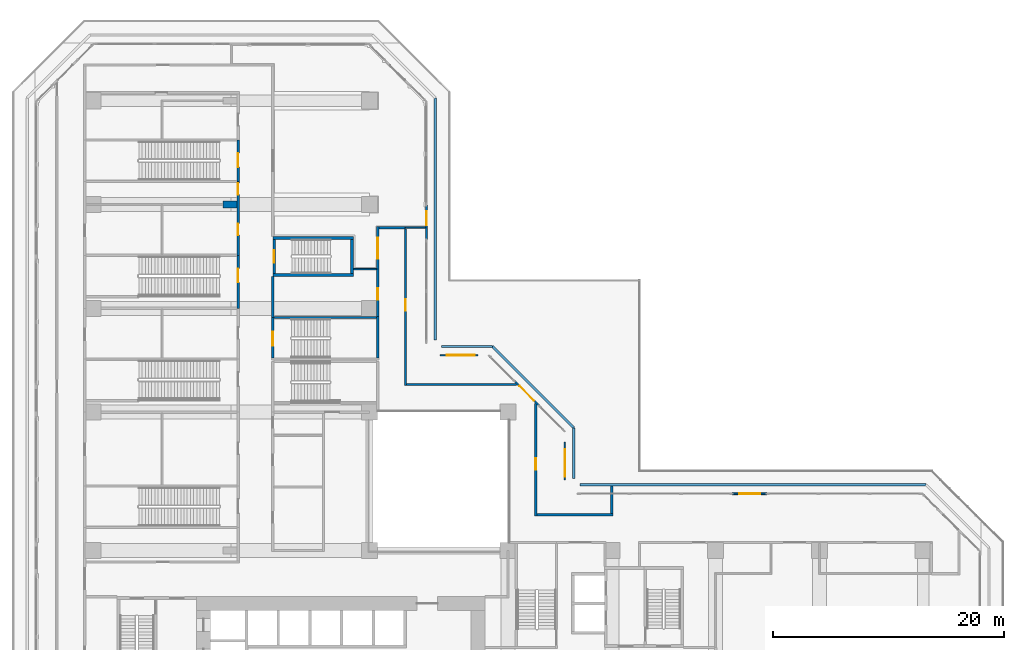
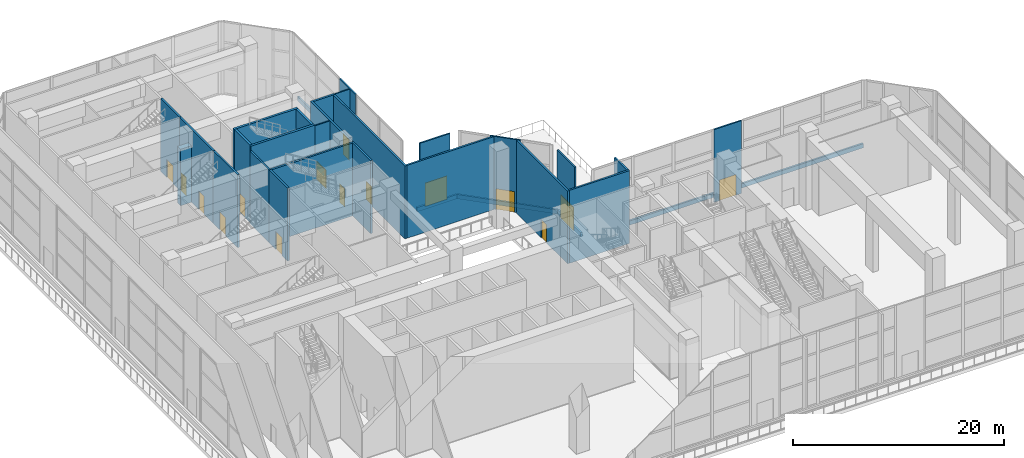
# One storey, part 16 of 28: 31 walls, 13 doors, 2 windows, 15 openings.
"""IFC4 building model written with IfcOpenShell, lengths in metres."""

from ifc_helpers import new_model, si_unit, direction, frame, frame_2d, origin, place, context, subcontext, project, spatial, rectangle, extrude, material, layer, layer_set, type_object, element, fill, save


model = new_model("IFC4")

# Units and contexts
model_context = context("Model", 3, precision=1e-05, world=origin(), true_north=direction((0.0, 1.0)))
body_context = subcontext(model_context, "Body", "Model", "MODEL_VIEW")
ifc_project = project(units=[si_unit("LENGTHUNIT", "METRE"), si_unit("AREAUNIT", "SQUARE_METRE"), si_unit("VOLUMEUNIT", "CUBIC_METRE"), si_unit("PLANEANGLEUNIT", "RADIAN"), si_unit("MASSUNIT", "GRAM", prefix="KILO")], contexts=[model_context])

# Site, building, storey
site_placement = place(None, origin())
site = spatial("IfcSite", under=ifc_project, at=site_placement, CompositionType="ELEMENT")
building_placement = place(site_placement, origin())
building = spatial("IfcBuilding", under=site, at=building_placement, Name="Chenar Terraces", CompositionType="ELEMENT")
storey_placement = place(building_placement, frame((0.0, 0.0, 26.39990234375)))
storey = spatial("IfcBuildingStorey", under=building, at=storey_placement, Name="L05", CompositionType="ELEMENT", Elevation=26.39990234375)

# Walls
ifc_material_1 = material(Name="Gypsum board on steel studs with mineral wool", Category="steel")
ifc_layer_1 = layer(ifc_material_1, 0.125)
ifc_layer_set_1 = layer_set([ifc_layer_1], Name="Gypsum board on steel studs with mineral wool")
wall_type_1 = type_object("IfcWallType", Name="Acoustic partition 125", PredefinedType="PARTITIONING", material=ifc_layer_set_1)
wall_1_placement = place(storey_placement, frame((22.60009765625, 48.39990234375, 0.0), z_axis=(0.0, 0.0, 1.0), x_axis=(1.0, 0.0, 0.0)))
element("IfcWall", 1, at=wall_1_placement, inside=storey, type_object=wall_type_1, Name="Partition L05-057", PredefinedType="PARTITIONING", context=body_context, shape_type="SweptSolid", body=[
    extrude(rectangle(XDim=2.0, YDim=0.125, at=frame_2d((1.0, 0.0))), origin(), (0.0, 0.0, 1.0), 8.4501953125),
])
wall_2_placement = place(storey_placement, frame((27.10009765625, 52.0, 0.0), z_axis=(0.0, 0.0, 1.0), x_axis=(1.0, 0.0, 0.0)))
element("IfcWall", 2, at=wall_2_placement, inside=storey, type_object=wall_type_1, Name="Partition L05-063", PredefinedType="PARTITIONING", context=body_context, shape_type="SweptSolid", body=[
    extrude(rectangle(XDim=1.7509765625, YDim=0.125, at=frame_2d((0.87548828125, 0.0))), origin(), (0.0, 0.0, 1.0), 8.4501953125),
])
ifc_material_2 = material(Name="Concrete C70/85", Category="concrete")
ifc_layer_2 = layer(ifc_material_2, 0.25)
ifc_layer_set_2 = layer_set([ifc_layer_2], Name="Concrete C70/85")
wall_type_2 = type_object("IfcWallType", Name="Core wall 250 Concrete C70/85", PredefinedType="SHEAR", material=ifc_layer_set_2)
for number, where, z_axis, x_axis, name in (
    (3, (15.60009765625, 47.89990234375, 0.0), (0.0, 0.0, 1.0), (1.0, 0.0, 0.0), "Core wall ST4_S L05"),
    (4, (15.60009765625, 51.10009765625, 0.0), (0.0, 0.0, 1.0), (1.0, 0.0, 0.0), "Core wall ST4_N L05"),
):
    element("IfcWall", number, at=place(storey_placement, frame(where, z_axis=z_axis, x_axis=x_axis)), inside=storey, type_object=wall_type_2, Name=name, PredefinedType="SHEAR", context=body_context, shape_type="SweptSolid", body=[
        extrude(rectangle(XDim=7.0, YDim=0.25, at=frame_2d((3.5, 0.0))), origin(), (0.0, 0.0, 1.0), 9.0),
    ])

# Wall, opening, door
wall_3_placement = place(storey_placement, frame((15.72509765625, 48.02490234375, 0.0), z_axis=(0.0, 0.0, 1.0), x_axis=(0.0, 1.0, 0.0)))
wall_3 = element("IfcWall", 5, at=wall_3_placement, inside=storey, type_object=wall_type_2, Name="Core wall ST4_W L05", PredefinedType="SHEAR", context=body_context, shape_type="SweptSolid", body=[
    extrude(rectangle(XDim=2.9501953125, YDim=0.25, at=frame_2d((1.47509765625, 0.0))), origin(), (0.0, 0.0, 1.0), 9.0),
])
opening_1_placement = place(wall_3_placement, frame((0.925048828125, 0.0, 0.0)))
opening_1 = element("IfcOpeningElement", 6, at=opening_1_placement, cuts=wall_3, Name="Opening DL05-C9", PredefinedType="OPENING", context=body_context, shape_type="SweptSolid", body=[
    extrude(rectangle(XDim=1.10009765625, YDim=2.199951171875, at=frame_2d((0.550048828125, 1.10009765625))), frame((0.0, 0.135009765625, 0.0), z_axis=(0.0, -1.0, 0.0), x_axis=(1.0, 0.0, 0.0)), (0.0, 0.0, 1.0), 0.27001953125),
])
ifc_material_3 = material(Name="Steel-framed fire-resisting door leaf", Category="steel")
door_type_1 = type_object("IfcDoorType", Name="Stair fire door FD60 1100 x 2200", OperationType="SINGLE_SWING_LEFT", PredefinedType="DOOR", material=ifc_material_3)
door_1_placement = place(opening_1_placement, frame((1.10009765625, 0.0, 0.0), z_axis=(0.0, 0.0, 1.0), x_axis=(-1.0, 0.0, 0.0)))
door_1 = element("IfcDoor", 7, at=door_1_placement, inside=storey, type_object=door_type_1, Name="Stair door DL05-C9", OperationType="SINGLE_SWING_RIGHT", OverallHeight=2.199951171875, OverallWidth=1.10009765625, PredefinedType="DOOR", context=body_context, shape_type="SweptSolid", body=[
    extrude(rectangle(XDim=1.10009765625, YDim=2.199951171875, at=frame_2d((0.550048828125, 1.10009765625))), frame((0.0, 0.02490234375, 0.0), z_axis=(0.0, -1.0, 0.0), x_axis=(1.0, 0.0, 0.0)), (0.0, 0.0, 1.0), 0.050048828125),
])
fill(opening_1, door_1)

# Wall
wall_4_placement = place(storey_placement, frame((22.47509765625, 48.02490234375, 0.0), z_axis=(0.0, 0.0, 1.0), x_axis=(0.0, 1.0, 0.0)))
element("IfcWall", 8, at=wall_4_placement, inside=storey, type_object=wall_type_2, Name="Core wall ST4_E L05", PredefinedType="SHEAR", context=body_context, shape_type="SweptSolid", body=[
    extrude(rectangle(XDim=2.9501953125, YDim=0.25, at=frame_2d((1.47509765625, 0.0))), origin(), (0.0, 0.0, 1.0), 9.0),
])

# Wall, openings, doors
ifc_material_4 = material(Name="Gypsum board on steel studs with fire boards", Category="steel")
ifc_layer_3 = layer(ifc_material_4, 0.199951171875)
ifc_layer_set_3 = layer_set([ifc_layer_3], Name="Gypsum board on steel studs with fire boards")
wall_type_3 = type_object("IfcWallType", Name="Corridor wall 200", PredefinedType="PARTITIONING", material=ifc_layer_set_3)
wall_5_placement = place(storey_placement, frame((12.60009765625, 49.60009765625, 0.0), z_axis=(0.0, 0.0, 1.0), x_axis=(0.0, 1.0, 0.0)))
wall_5 = element("IfcWall", 9, at=wall_5_placement, inside=storey, type_object=wall_type_3, Name="Partition L05-042", PredefinedType="PARTITIONING", context=body_context, shape_type="SweptSolid", body=[
    extrude(rectangle(XDim=6.39990234375, YDim=0.199951171875, at=frame_2d((3.199951171875, 0.0))), origin(), (0.0, 0.0, 1.0), 8.4501953125),
])
opening_2_placement = place(wall_5_placement, frame((1.75, 0.0, 0.0)))
opening_2 = element("IfcOpeningElement", 10, at=opening_2_placement, cuts=wall_5, Name="Opening DL05-7", PredefinedType="OPENING", context=body_context, shape_type="SweptSolid", body=[
    extrude(rectangle(XDim=1.0, YDim=2.10009765625, at=frame_2d((0.5, 1.050048828125))), frame((0.0, 0.10986328125, 0.0), z_axis=(0.0, -1.0, 0.0), x_axis=(1.0, 0.0, 0.0)), (0.0, 0.0, 1.0), 0.219970703125),
])
opening_3_placement = place(wall_5_placement, frame((5.25, 0.0, 0.0)))
opening_3 = element("IfcOpeningElement", 11, at=opening_3_placement, cuts=wall_5, Name="Opening DL05-28", PredefinedType="OPENING", context=body_context, shape_type="SweptSolid", body=[
    extrude(rectangle(XDim=1.0, YDim=2.10009765625, at=frame_2d((0.5, 1.050048828125))), frame((0.0, 0.10986328125, 0.0), z_axis=(0.0, -1.0, 0.0), x_axis=(1.0, 0.0, 0.0)), (0.0, 0.0, 1.0), 0.219970703125),
])
ifc_material_5 = material(Name="Steel-framed fire-resisting door leaf", Category="steel")
door_type_2 = type_object("IfcDoorType", Name="Fire door FD60 1000 x 2100", OperationType="SINGLE_SWING_LEFT", PredefinedType="DOOR", material=ifc_material_5)
door_2_placement = place(opening_2_placement, origin())
door_2 = element("IfcDoor", 12, at=door_2_placement, inside=storey, type_object=door_type_2, Name="Door DL05-7", OperationType="SINGLE_SWING_RIGHT", OverallHeight=2.10009765625, OverallWidth=1.0, PredefinedType="DOOR", context=body_context, shape_type="SweptSolid", body=[
    extrude(rectangle(XDim=1.0, YDim=2.10009765625, at=frame_2d((0.5, 1.050048828125))), frame((0.0, 0.02490234375, 0.0), z_axis=(0.0, -1.0, 0.0), x_axis=(1.0, 0.0, 0.0)), (0.0, 0.0, 1.0), 0.050048828125),
])
fill(opening_2, door_2)
door_3_placement = place(opening_3_placement, origin())
door_3 = element("IfcDoor", 13, at=door_3_placement, inside=storey, type_object=door_type_2, Name="Door DL05-28", OperationType="SINGLE_SWING_RIGHT", OverallHeight=2.10009765625, OverallWidth=1.0, PredefinedType="DOOR", context=body_context, shape_type="SweptSolid", body=[
    extrude(rectangle(XDim=1.0, YDim=2.10009765625, at=frame_2d((0.5, 1.050048828125))), frame((0.0, 0.02490234375, 0.0), z_axis=(0.0, -1.0, 0.0), x_axis=(1.0, 0.0, 0.0)), (0.0, 0.0, 1.0), 0.050048828125),
])
fill(opening_3, door_3)

# Wall
wall_6_placement = place(storey_placement, frame((15.60009765625, 44.199951171875, 0.0), z_axis=(0.0, 0.0, 1.0), x_axis=(0.0, 1.0, 0.0)))
element("IfcWall", 14, at=wall_6_placement, inside=storey, type_object=wall_type_3, Name="Partition L05-049", PredefinedType="PARTITIONING", context=body_context, shape_type="SweptSolid", body=[
    extrude(rectangle(XDim=3.574951171875, YDim=0.199951171875, at=frame_2d((1.78759765625, 0.0))), origin(), (0.0, 0.0, 1.0), 8.4501953125),
])

# Wall, openings, doors
wall_7_placement = place(storey_placement, frame((24.699951171875, 44.300048828125, 0.0), z_axis=(0.0, 0.0, 1.0), x_axis=(0.0, 1.0, 0.0)))
wall_7 = element("IfcWall", 15, at=wall_7_placement, inside=storey, type_object=wall_type_3, Name="Partition L05-060", PredefinedType="PARTITIONING", context=body_context, shape_type="SweptSolid", body=[
    extrude(rectangle(XDim=7.800048828125, YDim=0.199951171875, at=frame_2d((3.89990234375, 0.0))), origin(), (0.0, 0.0, 1.0), 8.4501953125),
])
opening_4_placement = place(wall_7_placement, frame((1.449951171875, 0.0, 0.0)))
opening_4 = element("IfcOpeningElement", 16, at=opening_4_placement, cuts=wall_7, Name="Opening DL05-9", PredefinedType="OPENING", context=body_context, shape_type="SweptSolid", body=[
    extrude(rectangle(XDim=1.0, YDim=2.10009765625, at=frame_2d((0.5, 1.050048828125))), frame((0.0, 0.10986328125, 0.0), z_axis=(0.0, -1.0, 0.0), x_axis=(1.0, 0.0, 0.0)), (0.0, 0.0, 1.0), 0.219970703125),
])
opening_5_placement = place(wall_7_placement, frame((5.0, 0.0, 0.0)))
opening_5 = element("IfcOpeningElement", 17, at=opening_5_placement, cuts=wall_7, Name="Opening DL05-21", PredefinedType="OPENING", context=body_context, shape_type="SweptSolid", body=[
    extrude(rectangle(XDim=1.800048828125, YDim=2.10009765625, at=frame_2d((0.89990234375, 1.050048828125))), frame((0.0, 0.10986328125, 0.0), z_axis=(0.0, -1.0, 0.0), x_axis=(1.0, 0.0, 0.0)), (0.0, 0.0, 1.0), 0.219970703125),
])
door_4_placement = place(opening_4_placement, origin())
door_4 = element("IfcDoor", 18, at=door_4_placement, inside=storey, type_object=door_type_2, Name="Door DL05-9", OperationType="SINGLE_SWING_LEFT", OverallHeight=2.10009765625, OverallWidth=1.0, PredefinedType="DOOR", context=body_context, shape_type="SweptSolid", body=[
    extrude(rectangle(XDim=1.0, YDim=2.10009765625, at=frame_2d((0.5, 1.050048828125))), frame((0.0, 0.02490234375, 0.0), z_axis=(0.0, -1.0, 0.0), x_axis=(1.0, 0.0, 0.0)), (0.0, 0.0, 1.0), 0.050048828125),
])
fill(opening_4, door_4)
ifc_material_6 = material(Name="Steel-framed fire-resisting door leaf", Category="steel")
door_type_3 = type_object("IfcDoorType", Name="Fire double door FD60 1800 x 2100", OperationType="DOUBLE_DOOR_SINGLE_SWING", PredefinedType="DOOR", material=ifc_material_6)
door_5_placement = place(opening_5_placement, origin())
door_5 = element("IfcDoor", 19, at=door_5_placement, inside=storey, type_object=door_type_3, Name="Door DL05-21", OperationType="DOUBLE_DOOR_SINGLE_SWING", OverallHeight=2.10009765625, OverallWidth=1.800048828125, PredefinedType="DOOR", context=body_context, shape_type="SweptSolid", body=[
    extrude(rectangle(XDim=1.800048828125, YDim=2.10009765625, at=frame_2d((0.89990234375, 1.050048828125))), frame((0.0, 0.02490234375, 0.0), z_axis=(0.0, -1.0, 0.0), x_axis=(1.0, 0.0, 0.0)), (0.0, 0.0, 1.0), 0.050048828125),
])
fill(opening_5, door_5)

# Wall
wall_8_placement = place(storey_placement, frame((24.800048828125, 52.0, 0.0), z_axis=(0.0, 0.0, 1.0), x_axis=(1.0, 0.0, 0.0)))
element("IfcWall", 20, at=wall_8_placement, inside=storey, type_object=wall_type_3, Name="Partition L05-061", PredefinedType="PARTITIONING", context=body_context, shape_type="SweptSolid", body=[
    extrude(rectangle(XDim=2.300048828125, YDim=0.199951171875, at=frame_2d((1.14990234375, 0.0))), origin(), (0.0, 0.0, 1.0), 8.4501953125),
])

# Wall, opening, door
wall_9_placement = place(storey_placement, frame((27.10009765625, 38.300048828125, 0.0), z_axis=(0.0, 0.0, 1.0), x_axis=(0.0, 1.0, 0.0)))
wall_9 = element("IfcWall", 21, at=wall_9_placement, inside=storey, type_object=wall_type_3, Name="Partition L05-062", PredefinedType="PARTITIONING", context=body_context, shape_type="SweptSolid", body=[
    extrude(rectangle(XDim=13.599853515625, YDim=0.199951171875, at=frame_2d((6.7998046875, 0.0))), origin(), (0.0, 0.0, 1.0), 8.4501953125),
])
opening_6_placement = place(wall_9_placement, frame((6.5, 0.0, 0.0)))
opening_6 = element("IfcOpeningElement", 22, at=opening_6_placement, cuts=wall_9, Name="Opening DL05-23", PredefinedType="OPENING", context=body_context, shape_type="SweptSolid", body=[
    extrude(rectangle(XDim=1.0, YDim=2.10009765625, at=frame_2d((0.5, 1.050048828125))), frame((0.0, 0.10986328125, 0.0), z_axis=(0.0, -1.0, 0.0), x_axis=(1.0, 0.0, 0.0)), (0.0, 0.0, 1.0), 0.219970703125),
])
door_6_placement = place(opening_6_placement, frame((1.0, 0.0, 0.0), z_axis=(0.0, 0.0, 1.0), x_axis=(-1.0, 0.0, 0.0)))
door_6 = element("IfcDoor", 23, at=door_6_placement, inside=storey, type_object=door_type_2, Name="Door DL05-23", OperationType="SINGLE_SWING_RIGHT", OverallHeight=2.10009765625, OverallWidth=1.0, PredefinedType="DOOR", context=body_context, shape_type="SweptSolid", body=[
    extrude(rectangle(XDim=1.0, YDim=2.10009765625, at=frame_2d((0.5, 1.050048828125))), frame((0.0, 0.02490234375, 0.0), z_axis=(0.0, -1.0, 0.0), x_axis=(1.0, 0.0, 0.0)), (0.0, 0.0, 1.0), 0.050048828125),
])
fill(opening_6, door_6)

# Wall
wall_10_placement = place(storey_placement, frame((27.199951171875, 38.39990234375, 0.0), z_axis=(0.0, 0.0, 1.0), x_axis=(1.0, 0.0, 0.0)))
element("IfcWall", 24, at=wall_10_placement, inside=storey, type_object=wall_type_3, Name="Partition L05-064", PredefinedType="PARTITIONING", context=body_context, shape_type="SweptSolid", body=[
    extrude(rectangle(XDim=9.5390625, YDim=0.199951171875, at=frame_2d((4.76953125, 0.0))), origin(), (0.0, 0.0, 1.0), 8.4501953125),
])

# Wall, opening, door
wall_11_placement = place(storey_placement, frame((38.39990234375, 27.0, 0.0), z_axis=(0.0, 0.0, 1.0), x_axis=(0.0, 1.0, 0.0)))
wall_11 = element("IfcWall", 25, at=wall_11_placement, inside=storey, type_object=wall_type_3, Name="Partition L05-070", PredefinedType="PARTITIONING", context=body_context, shape_type="SweptSolid", body=[
    extrude(rectangle(XDim=9.739013671875, YDim=0.199951171875, at=frame_2d((4.86962890625, 0.0))), origin(), (0.0, 0.0, 1.0), 8.4501953125),
])
opening_7_placement = place(wall_11_placement, frame((4.0, 0.0, 0.0)))
opening_7 = element("IfcOpeningElement", 26, at=opening_7_placement, cuts=wall_11, Name="Opening DL05-24", PredefinedType="OPENING", context=body_context, shape_type="SweptSolid", body=[
    extrude(rectangle(XDim=1.0, YDim=2.10009765625, at=frame_2d((0.5, 1.050048828125))), frame((0.0, 0.10986328125, 0.0), z_axis=(0.0, -1.0, 0.0), x_axis=(1.0, 0.0, 0.0)), (0.0, 0.0, 1.0), 0.219970703125),
])
door_7_placement = place(opening_7_placement, frame((1.0, 0.0, 0.0), z_axis=(0.0, 0.0, 1.0), x_axis=(-1.0, 0.0, 0.0)))
door_7 = element("IfcDoor", 27, at=door_7_placement, inside=storey, type_object=door_type_2, Name="Door DL05-24", OperationType="SINGLE_SWING_LEFT", OverallHeight=2.10009765625, OverallWidth=1.0, PredefinedType="DOOR", context=body_context, shape_type="SweptSolid", body=[
    extrude(rectangle(XDim=1.0, YDim=2.10009765625, at=frame_2d((0.5, 1.050048828125))), frame((0.0, 0.02490234375, 0.0), z_axis=(0.0, -1.0, 0.0), x_axis=(1.0, 0.0, 0.0)), (0.0, 0.0, 1.0), 0.050048828125),
])
fill(opening_7, door_7)

# Walls
wall_12_placement = place(storey_placement, frame((38.5, 27.10009765625, 0.0), z_axis=(0.0, 0.0, 1.0), x_axis=(1.0, 0.0, 0.0)))
element("IfcWall", 28, at=wall_12_placement, inside=storey, type_object=wall_type_3, Name="Partition L05-071", PredefinedType="PARTITIONING", context=body_context, shape_type="SweptSolid", body=[
    extrude(rectangle(XDim=6.60009765625, YDim=0.199951171875, at=frame_2d((3.300048828125, 0.0))), origin(), (0.0, 0.0, 1.0), 8.4501953125),
])
wall_13_placement = place(storey_placement, frame((45.0, 27.199951171875, 0.0), z_axis=(0.0, 0.0, 1.0), x_axis=(0.0, 1.0, 0.0)))
element("IfcWall", 29, at=wall_13_placement, inside=storey, type_object=wall_type_3, Name="Partition L05-080", PredefinedType="PARTITIONING", context=body_context, shape_type="SweptSolid", body=[
    extrude(rectangle(XDim=2.400146484375, YDim=0.199951171875, at=frame_2d((1.2001953125, 0.0))), origin(), (0.0, 0.0, 1.0), 8.4501953125),
])

# Wall, opening, door
ifc_material_7 = material(Name="Aluminium framed glazing", Category="aluminium")
ifc_layer_4 = layer(ifc_material_7, 0.14990234375)
ifc_layer_set_4 = layer_set([ifc_layer_4], Name="Aluminium framed glazing")
wall_type_4 = type_object("IfcWallType", Name="Podium glazed wall 150", PredefinedType="SOLIDWALL", material=ifc_layer_set_4)
wall_14_placement = place(storey_placement, frame((58.44970703125, 28.925048828125, 0.0), z_axis=(0.0, 0.0, 1.0), x_axis=(-1.0, 0.0, 0.0)))
wall_14 = element("IfcWall", 30, at=wall_14_placement, inside=storey, type_object=wall_type_4, Name="Podium glazed wall", PredefinedType="SOLIDWALL", context=body_context, shape_type="SweptSolid", body=[
    extrude(rectangle(XDim=3.0, YDim=0.14990234375, at=frame_2d((1.5, 0.0))), origin(), (0.0, 0.0, 1.0), 8.4501953125),
])
opening_8_placement = place(wall_14_placement, frame((0.60009765625, 0.0, 0.0)))
opening_8 = element("IfcOpeningElement", 31, at=opening_8_placement, cuts=wall_14, Name="Opening DL05-T1", PredefinedType="OPENING", context=body_context, shape_type="SweptSolid", body=[
    extrude(rectangle(XDim=1.800048828125, YDim=2.39990234375, at=frame_2d((0.89990234375, 1.199951171875))), frame((0.0, 0.0849609375, 0.0), z_axis=(0.0, -1.0, 0.0), x_axis=(1.0, 0.0, 0.0)), (0.0, 0.0, 1.0), 0.169921875),
])
ifc_material_8 = material(Name="Low emissivity double glazing, aluminium frame", Category="aluminium")
door_type_4 = type_object("IfcDoorType", Name="Terrace glazed double door 1800 x 2400", OperationType="DOUBLE_DOOR_SINGLE_SWING", PredefinedType="DOOR", material=ifc_material_8)
door_8_placement = place(opening_8_placement, frame((1.800048828125, 0.0, 0.0), z_axis=(0.0, 0.0, 1.0), x_axis=(-1.0, 0.0, 0.0)))
door_8 = element("IfcDoor", 32, at=door_8_placement, inside=storey, type_object=door_type_4, Name="Terrace glazed door", OperationType="DOUBLE_DOOR_SINGLE_SWING", OverallHeight=2.39990234375, OverallWidth=1.800048828125, PredefinedType="DOOR", context=body_context, shape_type="SweptSolid", body=[
    extrude(rectangle(XDim=1.800048828125, YDim=2.39990234375, at=frame_2d((0.89990234375, 1.199951171875))), frame((0.0, 0.02490234375, 0.0), z_axis=(0.0, -1.0, 0.0), x_axis=(1.0, 0.0, 0.0)), (0.0, 0.0, 1.0), 0.050048828125),
])
fill(opening_8, door_8)

# Wall, opening, window
wall_15_placement = place(storey_placement, frame((40.925048828125, 30.099609375, 0.0), z_axis=(0.0, 0.0, 1.0), x_axis=(0.0, 1.0, 0.0)))
wall_15 = element("IfcWall", 33, at=wall_15_placement, inside=storey, type_object=wall_type_4, Name="Podium glazed wall", PredefinedType="SOLIDWALL", context=body_context, shape_type="SweptSolid", body=[
    extrude(rectangle(XDim=3.300048828125, YDim=0.14990234375, at=frame_2d((1.64990234375, 0.0))), origin(), (0.0, 0.0, 1.0), 8.4501953125),
])
opening_9_placement = place(wall_15_placement, frame((0.300048828125, 0.0, 0.89990234375)))
opening_9 = element("IfcOpeningElement", 34, at=opening_9_placement, cuts=wall_15, Name="Opening W240x270", PredefinedType="OPENING", context=body_context, shape_type="SweptSolid", body=[
    extrude(rectangle(XDim=2.39990234375, YDim=2.699951171875, at=frame_2d((1.199951171875, 1.35009765625))), frame((0.0, 0.0849609375, 0.0), z_axis=(0.0, -1.0, 0.0), x_axis=(1.0, 0.0, 0.0)), (0.0, 0.0, 1.0), 0.169921875),
])
ifc_material_9 = material(Name="Low emissivity double glazing, aluminium frame", Category="aluminium")
window_type = type_object("IfcWindowType", Name="Fixed light 2400 x 2700", PartitioningType="SINGLE_PANEL", PredefinedType="WINDOW", material=ifc_material_9)
window_1_placement = place(opening_9_placement, origin())
window_1 = element("IfcWindow", 35, at=window_1_placement, inside=storey, type_object=window_type, Name="Window", OverallHeight=2.699951171875, OverallWidth=2.39990234375, PartitioningType="SINGLE_PANEL", PredefinedType="WINDOW", context=body_context, shape_type="SweptSolid", body=[
    extrude(rectangle(XDim=2.39990234375, YDim=2.699951171875, at=frame_2d((1.199951171875, 1.35009765625))), frame((0.0, 0.030029296875, 0.0), z_axis=(0.0, -1.0, 0.0), x_axis=(1.0, 0.0, 0.0)), (0.0, 0.0, 1.0), 0.06005859375),
])
fill(opening_9, window_1)

# Wall, opening, door
wall_16_placement = place(storey_placement, frame((38.682373046875, 36.56103515625, 0.0), z_axis=(0.0, 0.0, 1.0), x_axis=(-0.707106781187, 0.707106781187, 0.0)))
wall_16 = element("IfcWall", 36, at=wall_16_placement, inside=storey, type_object=wall_type_4, Name="Podium glazed wall", PredefinedType="SOLIDWALL", context=body_context, shape_type="SweptSolid", body=[
    extrude(rectangle(XDim=3.0, YDim=0.14990234375, at=frame_2d((1.5, 0.0))), origin(), (0.0, 0.0, 1.0), 8.4501953125),
])
opening_10_placement = place(wall_16_placement, frame((0.60009765625, 0.0, 0.0)))
opening_10 = element("IfcOpeningElement", 37, at=opening_10_placement, cuts=wall_16, Name="Opening DL05-T1", PredefinedType="OPENING", context=body_context, shape_type="SweptSolid", body=[
    extrude(rectangle(XDim=1.800048828125, YDim=2.39990234375, at=frame_2d((0.89990234375, 1.199951171875))), frame((0.0, 0.0849609375, 0.0), z_axis=(0.0, -1.0, 0.0), x_axis=(1.0, 0.0, 0.0)), (0.0, 0.0, 1.0), 0.169921875),
])
door_9_placement = place(opening_10_placement, frame((1.800048828125, 0.0, 0.0), z_axis=(0.0, 0.0, 1.0), x_axis=(-1.0, 0.0, 0.0)))
door_9 = element("IfcDoor", 38, at=door_9_placement, inside=storey, type_object=door_type_4, Name="Terrace glazed door", OperationType="DOUBLE_DOOR_SINGLE_SWING", OverallHeight=2.39990234375, OverallWidth=1.800048828125, PredefinedType="DOOR", context=body_context, shape_type="SweptSolid", body=[
    extrude(rectangle(XDim=1.800048828125, YDim=2.39990234375, at=frame_2d((0.89990234375, 1.199951171875))), frame((0.0, 0.02490234375, 0.0), z_axis=(0.0, -1.0, 0.0), x_axis=(1.0, 0.0, 0.0)), (0.0, 0.0, 1.0), 0.050048828125),
])
fill(opening_10, door_9)

# Wall, opening, window
wall_17_placement = place(storey_placement, frame((33.399658203125, 40.925048828125, 0.0), z_axis=(0.0, 0.0, 1.0), x_axis=(-1.0, 0.0, 0.0)))
wall_17 = element("IfcWall", 39, at=wall_17_placement, inside=storey, type_object=wall_type_4, Name="Podium glazed wall", PredefinedType="SOLIDWALL", context=body_context, shape_type="SweptSolid", body=[
    extrude(rectangle(XDim=3.300048828125, YDim=0.14990234375, at=frame_2d((1.64990234375, 0.0))), origin(), (0.0, 0.0, 1.0), 8.4501953125),
])
opening_11_placement = place(wall_17_placement, frame((0.300048828125, 0.0, 0.89990234375)))
opening_11 = element("IfcOpeningElement", 40, at=opening_11_placement, cuts=wall_17, Name="Opening W240x270", PredefinedType="OPENING", context=body_context, shape_type="SweptSolid", body=[
    extrude(rectangle(XDim=2.39990234375, YDim=2.699951171875, at=frame_2d((1.199951171875, 1.35009765625))), frame((0.0, 0.0849609375, 0.0), z_axis=(0.0, -1.0, 0.0), x_axis=(1.0, 0.0, 0.0)), (0.0, 0.0, 1.0), 0.169921875),
])
window_2_placement = place(opening_11_placement, origin())
window_2 = element("IfcWindow", 41, at=window_2_placement, inside=storey, type_object=window_type, Name="Window", OverallHeight=2.699951171875, OverallWidth=2.39990234375, PartitioningType="SINGLE_PANEL", PredefinedType="WINDOW", context=body_context, shape_type="SweptSolid", body=[
    extrude(rectangle(XDim=2.39990234375, YDim=2.699951171875, at=frame_2d((1.199951171875, 1.35009765625))), frame((0.0, 0.030029296875, 0.0), z_axis=(0.0, -1.0, 0.0), x_axis=(1.0, 0.0, 0.0)), (0.0, 0.0, 1.0), 0.06005859375),
])
fill(opening_11, window_2)

# Wall, opening, door
wall_18_placement = place(storey_placement, frame((28.925048828125, 50.94970703125, 0.0), z_axis=(0.0, 0.0, 1.0), x_axis=(0.0, 1.0, 0.0)))
wall_18 = element("IfcWall", 42, at=wall_18_placement, inside=storey, type_object=wall_type_4, Name="Podium glazed wall", PredefinedType="SOLIDWALL", context=body_context, shape_type="SweptSolid", body=[
    extrude(rectangle(XDim=3.0, YDim=0.14990234375, at=frame_2d((1.5, 0.0))), origin(), (0.0, 0.0, 1.0), 8.4501953125),
])
opening_12_placement = place(wall_18_placement, frame((1.25, 0.0, 0.0)))
opening_12 = element("IfcOpeningElement", 43, at=opening_12_placement, cuts=wall_18, Name="Opening DL05-T1N", PredefinedType="OPENING", context=body_context, shape_type="SweptSolid", body=[
    extrude(rectangle(XDim=1.199951171875, YDim=2.39990234375, at=frame_2d((0.60009765625, 1.199951171875))), frame((0.0, 0.0849609375, 0.0), z_axis=(0.0, -1.0, 0.0), x_axis=(1.0, 0.0, 0.0)), (0.0, 0.0, 1.0), 0.169921875),
])
ifc_material_10 = material(Name="Low emissivity double glazing, aluminium frame", Category="aluminium")
door_type_5 = type_object("IfcDoorType", Name="Terrace glazed door 1200 x 2400", OperationType="SINGLE_SWING_LEFT", PredefinedType="DOOR", material=ifc_material_10)
door_10_placement = place(opening_12_placement, frame((1.199951171875, 0.0, 0.0), z_axis=(0.0, 0.0, 1.0), x_axis=(-1.0, 0.0, 0.0)))
door_10 = element("IfcDoor", 44, at=door_10_placement, inside=storey, type_object=door_type_5, Name="Terrace glazed door", OperationType="DOUBLE_DOOR_SINGLE_SWING", OverallHeight=2.39990234375, OverallWidth=1.199951171875, PredefinedType="DOOR", context=body_context, shape_type="SweptSolid", body=[
    extrude(rectangle(XDim=1.199951171875, YDim=2.39990234375, at=frame_2d((0.60009765625, 1.199951171875))), frame((0.0, 0.02490234375, 0.0), z_axis=(0.0, -1.0, 0.0), x_axis=(1.0, 0.0, 0.0)), (0.0, 0.0, 1.0), 0.050048828125),
])
fill(opening_12, door_10)

ifc_material_11 = material(Name="Reinforced concrete C40/50", Category="concrete")
ifc_layer_5 = layer(ifc_material_11, 0.199951171875)
ifc_layer_set_5 = layer_set([ifc_layer_5], Name="Reinforced concrete C40/50")
wall_type_5 = type_object("IfcWallType", Name="Stair enclosure wall 200 concrete", PredefinedType="SOLIDWALL", material=ifc_layer_set_5)
wall_19_placement = place(storey_placement, frame((12.60009765625, 45.0, 0.0), z_axis=(0.0, 0.0, 1.0), x_axis=(0.0, 1.0, 0.0)))
wall_19 = element("IfcWall", 45, at=wall_19_placement, inside=storey, type_object=wall_type_5, Name="Stair enclosure wall L05-041", PredefinedType="SOLIDWALL", context=body_context, shape_type="SweptSolid", body=[
    extrude(rectangle(XDim=4.60009765625, YDim=0.199951171875, at=frame_2d((2.300048828125, 0.0))), origin(), (0.0, 0.0, 1.0), 8.4501953125),
])
opening_13_placement = place(wall_19_placement, frame((2.25, 0.0, 0.0)))
opening_13 = element("IfcOpeningElement", 46, at=opening_13_placement, cuts=wall_19, Name="Opening DL05-33", PredefinedType="OPENING", context=body_context, shape_type="SweptSolid", body=[
    extrude(rectangle(XDim=1.199951171875, YDim=2.10009765625, at=frame_2d((0.60009765625, 1.050048828125))), frame((0.0, 0.10986328125, 0.0), z_axis=(0.0, -1.0, 0.0), x_axis=(1.0, 0.0, 0.0)), (0.0, 0.0, 1.0), 0.219970703125),
])
ifc_material_12 = material(Name="Steel-framed fire-resisting door leaf", Category="steel")
door_type_6 = type_object("IfcDoorType", Name="Fire door FD120 1200 x 2100", OperationType="SINGLE_SWING_LEFT", PredefinedType="DOOR", material=ifc_material_12)
door_11_placement = place(opening_13_placement, origin())
door_11 = element("IfcDoor", 47, at=door_11_placement, inside=storey, type_object=door_type_6, Name="Door DL05-33", OperationType="SINGLE_SWING_RIGHT", OverallHeight=2.10009765625, OverallWidth=1.199951171875, PredefinedType="DOOR", context=body_context, shape_type="SweptSolid", body=[
    extrude(rectangle(XDim=1.199951171875, YDim=2.10009765625, at=frame_2d((0.60009765625, 1.050048828125))), frame((0.0, 0.02490234375, 0.0), z_axis=(0.0, -1.0, 0.0), x_axis=(1.0, 0.0, 0.0)), (0.0, 0.0, 1.0), 0.050048828125),
])
fill(opening_13, door_11)

wall_20_placement = place(storey_placement, frame((12.60009765625, 56.0, 0.0), z_axis=(0.0, 0.0, 1.0), x_axis=(0.0, 1.0, 0.0)))
wall_20 = element("IfcWall", 48, at=wall_20_placement, inside=storey, type_object=wall_type_5, Name="Stair enclosure wall L05-043", PredefinedType="SOLIDWALL", context=body_context, shape_type="SweptSolid", body=[
    extrude(rectangle(XDim=3.60009765625, YDim=0.199951171875, at=frame_2d((1.800048828125, 0.0))), origin(), (0.0, 0.0, 1.0), 8.4501953125),
])
opening_14_placement = place(wall_20_placement, frame((1.25, 0.0, 0.0)))
opening_14 = element("IfcOpeningElement", 49, at=opening_14_placement, cuts=wall_20, Name="Opening DL05-32", PredefinedType="OPENING", context=body_context, shape_type="SweptSolid", body=[
    extrude(rectangle(XDim=1.199951171875, YDim=2.10009765625, at=frame_2d((0.60009765625, 1.050048828125))), frame((0.0, 0.10986328125, 0.0), z_axis=(0.0, -1.0, 0.0), x_axis=(1.0, 0.0, 0.0)), (0.0, 0.0, 1.0), 0.219970703125),
])
door_12_placement = place(opening_14_placement, origin())
door_12 = element("IfcDoor", 50, at=door_12_placement, inside=storey, type_object=door_type_6, Name="Door DL05-32", OperationType="SINGLE_SWING_RIGHT", OverallHeight=2.10009765625, OverallWidth=1.199951171875, PredefinedType="DOOR", context=body_context, shape_type="SweptSolid", body=[
    extrude(rectangle(XDim=1.199951171875, YDim=2.10009765625, at=frame_2d((0.60009765625, 1.050048828125))), frame((0.0, 0.02490234375, 0.0), z_axis=(0.0, -1.0, 0.0), x_axis=(1.0, 0.0, 0.0)), (0.0, 0.0, 1.0), 0.050048828125),
])
fill(opening_14, door_12)

wall_21_placement = place(storey_placement, frame((15.60009765625, 40.699951171875, 0.0), z_axis=(0.0, 0.0, 1.0), x_axis=(0.0, 1.0, 0.0)))
wall_21 = element("IfcWall", 51, at=wall_21_placement, inside=storey, type_object=wall_type_5, Name="Stair enclosure wall L05-048", PredefinedType="SOLIDWALL", context=body_context, shape_type="SweptSolid", body=[
    extrude(rectangle(XDim=3.5, YDim=0.199951171875, at=frame_2d((1.75, 0.0))), origin(), (0.0, 0.0, 1.0), 8.4501953125),
])
opening_15_placement = place(wall_21_placement, frame((1.050048828125, 0.0, 0.0)))
opening_15 = element("IfcOpeningElement", 52, at=opening_15_placement, cuts=wall_21, Name="Opening DL05-37", PredefinedType="OPENING", context=body_context, shape_type="SweptSolid", body=[
    extrude(rectangle(XDim=1.199951171875, YDim=2.10009765625, at=frame_2d((0.60009765625, 1.050048828125))), frame((0.0, 0.10986328125, 0.0), z_axis=(0.0, -1.0, 0.0), x_axis=(1.0, 0.0, 0.0)), (0.0, 0.0, 1.0), 0.219970703125),
])
door_13_placement = place(opening_15_placement, frame((1.199951171875, 0.0, 0.0), z_axis=(0.0, 0.0, 1.0), x_axis=(-1.0, 0.0, 0.0)))
door_13 = element("IfcDoor", 53, at=door_13_placement, inside=storey, type_object=door_type_6, Name="Door DL05-37", OperationType="SINGLE_SWING_RIGHT", OverallHeight=2.10009765625, OverallWidth=1.199951171875, PredefinedType="DOOR", context=body_context, shape_type="SweptSolid", body=[
    extrude(rectangle(XDim=1.199951171875, YDim=2.10009765625, at=frame_2d((0.60009765625, 1.050048828125))), frame((0.0, 0.02490234375, 0.0), z_axis=(0.0, -1.0, 0.0), x_axis=(1.0, 0.0, 0.0)), (0.0, 0.0, 1.0), 0.050048828125),
])
fill(opening_15, door_13)

# Walls
wall_22_placement = place(storey_placement, frame((15.699951171875, 44.199951171875, 0.0), z_axis=(0.0, 0.0, 1.0), x_axis=(1.0, 0.0, 0.0)))
element("IfcWall", 54, at=wall_22_placement, inside=storey, type_object=wall_type_5, Name="Stair enclosure wall L05-055", PredefinedType="SOLIDWALL", context=body_context, shape_type="SweptSolid", body=[
    extrude(rectangle(XDim=8.900146484375, YDim=0.199951171875, at=frame_2d((4.4501953125, 0.0))), origin(), (0.0, 0.0, 1.0), 8.4501953125),
])
wall_23_placement = place(storey_placement, frame((24.699951171875, 40.699951171875, 0.0), z_axis=(0.0, 0.0, 1.0), x_axis=(0.0, 1.0, 0.0)))
element("IfcWall", 55, at=wall_23_placement, inside=storey, type_object=wall_type_5, Name="Stair enclosure wall L05-059", PredefinedType="SOLIDWALL", context=body_context, shape_type="SweptSolid", body=[
    extrude(rectangle(XDim=3.60009765625, YDim=0.199951171875, at=frame_2d((1.800048828125, 0.0))), origin(), (0.0, 0.0, 1.0), 8.4501953125),
])
ifc_material_13 = material(Name="Terracotta cladding on insulated backing", Category="masonry")
ifc_layer_6 = layer(ifc_material_13, 0.199951171875)
ifc_layer_set_6 = layer_set([ifc_layer_6], Name="Terracotta cladding on insulated backing")
wall_type_6 = type_object("IfcWallType", Name="Terrace parapet upstand 200", PredefinedType="PARAPET", material=ifc_layer_set_6)
wall_24_placement = place(storey_placement, frame((29.699951171875, 63.23974609375, 0.0), z_axis=(0.0, 0.0, 1.0), x_axis=(0.0, -1.0, 0.0)))
element("IfcWall", 56, at=wall_24_placement, inside=storey, type_object=wall_type_6, Name="Terrace parapet", PredefinedType="PARAPET", context=body_context, shape_type="SweptSolid", body=[
    extrude(rectangle(XDim=21.0, YDim=0.199951171875, at=frame_2d((10.5, 0.0))), origin(), (0.0, 0.0, 1.0), 0.5),
])
wall_25_placement = place(storey_placement, frame((30.23974609375, 41.699951171875, 0.0), z_axis=(0.0, 0.0, 1.0), x_axis=(1.0, 0.0, 0.0)))
element("IfcWall", 57, at=wall_25_placement, inside=storey, type_object=wall_type_6, Name="Terrace parapet", PredefinedType="PARAPET", context=body_context, shape_type="SweptSolid", body=[
    extrude(rectangle(XDim=4.39990234375, YDim=0.199951171875, at=frame_2d((2.199951171875, 0.0))), origin(), (0.0, 0.0, 1.0), 0.5),
])
wall_26_placement = place(storey_placement, frame((34.6396484375, 41.699951171875, 0.0), z_axis=(0.0, 0.0, 1.0), x_axis=(0.707106781187, -0.707106781187, 0.0)))
element("IfcWall", 58, at=wall_26_placement, inside=storey, type_object=wall_type_6, Name="Terrace parapet", PredefinedType="PARAPET", context=body_context, shape_type="SweptSolid", body=[
    extrude(rectangle(XDim=9.98486328125, YDim=0.199951171875, at=frame_2d((4.992431640625, 0.0))), origin(), (0.0, 0.0, 1.0), 0.5),
])
wall_27_placement = place(storey_placement, frame((41.699951171875, 34.6396484375, 0.0), z_axis=(0.0, 0.0, 1.0), x_axis=(0.0, -1.0, 0.0)))
element("IfcWall", 59, at=wall_27_placement, inside=storey, type_object=wall_type_6, Name="Terrace parapet", PredefinedType="PARAPET", context=body_context, shape_type="SweptSolid", body=[
    extrude(rectangle(XDim=4.39990234375, YDim=0.199951171875, at=frame_2d((2.199951171875, 0.0))), origin(), (0.0, 0.0, 1.0), 0.5),
])
wall_28_placement = place(storey_placement, frame((42.23974609375, 29.699951171875, 0.0), z_axis=(0.0, 0.0, 1.0), x_axis=(1.0, 0.0, 0.0)))
element("IfcWall", 60, at=wall_28_placement, inside=storey, type_object=wall_type_6, Name="Terrace parapet", PredefinedType="PARAPET", context=body_context, shape_type="SweptSolid", body=[
    extrude(rectangle(XDim=30.0, YDim=0.199951171875, at=frame_2d((15.0, 0.0))), origin(), (0.0, 0.0, 1.0), 0.5),
])
ifc_material_14 = material(Name="Reinforced concrete C60/75", Category="concrete")
ifc_layer_7 = layer(ifc_material_14, 0.60009765625)
ifc_layer_set_7 = layer_set([ifc_layer_7], Name="Reinforced concrete C60/75")
wall_type_7 = type_object("IfcWallType", Name="Transfer pier wall 600 concrete", PredefinedType="SOLIDWALL", material=ifc_layer_set_7)
wall_29_placement = place(storey_placement, frame((11.300048828125, 54.0, 0.0), z_axis=(0.0, 0.0, 1.0), x_axis=(1.0, 0.0, 0.0)))
element("IfcWall", 61, at=wall_29_placement, inside=storey, type_object=wall_type_7, Name="Transfer pier wall L05-P02", PredefinedType="SOLIDWALL", context=body_context, shape_type="SweptSolid", body=[
    extrude(rectangle(XDim=1.199951171875, YDim=0.60009765625, at=frame_2d((0.60009765625, 0.0))), origin(), (0.0, 0.0, 1.0), 6.550048828125),
])

save(model, "model.ifc")
